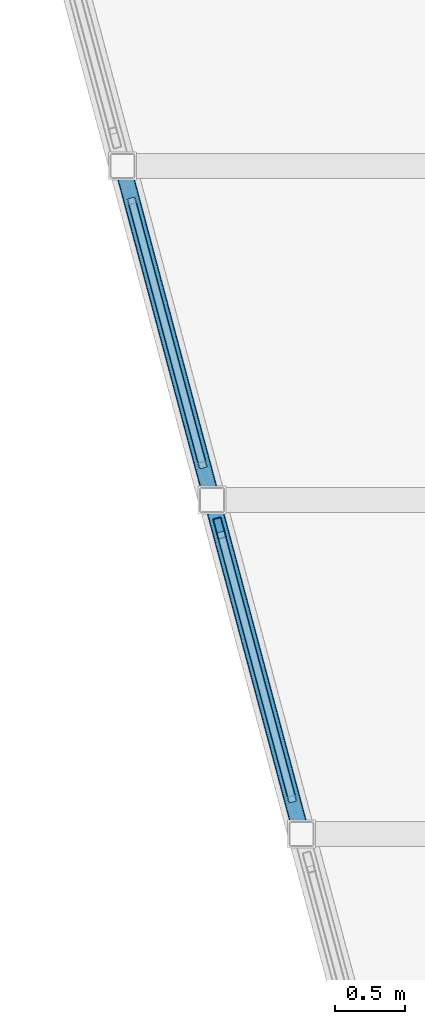
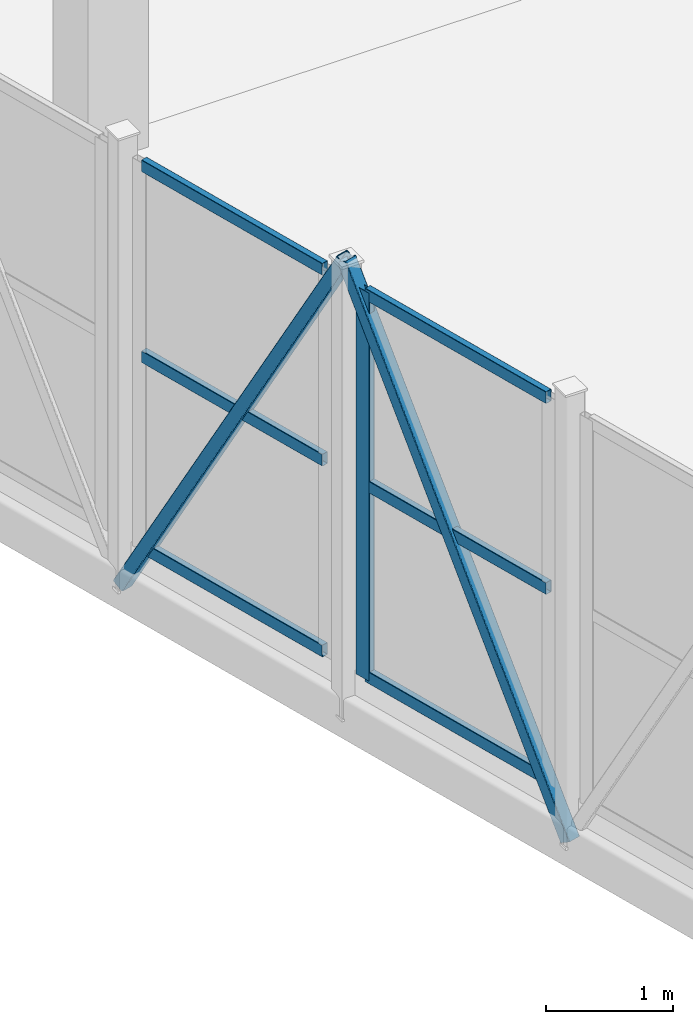
# One storey, part 40 of 127: 9 members, 2 elements without a shape of their own.
"""IFC4 building model written with IfcOpenShell, lengths in metres."""

from ifc_helpers import new_model, si_unit, direction, frame, origin, origin_2d, place, context, subcontext, project, spatial, hollow_rectangle, extrude, material, layer, layer_set, material_profile, profile_set, type_object, element, aggregate, save


model = new_model("IFC4")

# Units and contexts
model_context = context("Model", 3, precision=1e-05, world=origin(), true_north=direction((0.0, 1.0)))
body_context = subcontext(model_context, "Body", "Model", "MODEL_VIEW")
ifc_project = project(units=[si_unit("LENGTHUNIT", "METRE"), si_unit("AREAUNIT", "SQUARE_METRE"), si_unit("VOLUMEUNIT", "CUBIC_METRE"), si_unit("PLANEANGLEUNIT", "RADIAN"), si_unit("MASSUNIT", "GRAM", prefix="KILO")], contexts=[model_context])

# Site, building, storey
site_placement = place(None, origin())
site = spatial("IfcSite", under=ifc_project, at=site_placement, CompositionType="ELEMENT")
building_placement = place(site_placement, origin())
building = spatial("IfcBuilding", under=site, at=building_placement, Name="Dunvalen Ferry Terminal", CompositionType="ELEMENT")
storey_placement = place(building_placement, frame((0.0, 0.0, 5.760009765625)))
storey = spatial("IfcBuildingStorey", under=building, at=storey_placement, Name="L01", CompositionType="ELEMENT", Elevation=5.760009765625)

# Curtain wall, members
ifc_material_1 = material(Name="Anodised marine aluminium and solar-control glazing", Category="aluminium")
ifc_layer = layer(ifc_material_1, 0.159912109375, Name="Anodised marine aluminium and solar-control glazing")
ifc_layer_set = layer_set([ifc_layer], Name="Anodised marine aluminium and solar-control glazing")
curtain_wall_type = type_object("IfcCurtainWallType", Name="ENV-CW-SYS-07", PredefinedType="NOTDEFINED", material=ifc_layer_set)
curtain_wall_1_placement = place(storey_placement, origin())
curtain_wall_1 = element("IfcCurtainWall", 1, at=curtain_wall_1_placement, inside=storey, type_object=curtain_wall_type, Name="L01 Curtain Wall CW-BRG1-S1-3", PredefinedType="NOTDEFINED")
ifc_material_2 = material(Name="Anodised marine aluminium EN AW-6063 T6", Category="aluminium")
ifc_material_profile_1 = material_profile(ifc_material_2, hollow_rectangle(XDim=0.06005859375, YDim=0.14990234375, WallThickness=0.00341796875, InnerFilletRadius=0.00341796875, OuterFilletRadius=0.007080078125, at=origin_2d()), Name="Anodised marine aluminium EN AW-6063 T6")
ifc_profile_set_1 = profile_set([ifc_material_profile_1], Name="Anodised marine aluminium EN AW-6063 T6")
member_type_1 = type_object("IfcMemberType", Name="ENV-CW-MUL-3", PredefinedType="MULLION", material=ifc_profile_set_1)
member_1_placement = place(storey_placement, frame((28.124755859375, 93.398193359375, 0.0), z_axis=(0.0, 0.0, 1.0), x_axis=(-0.965934620531, -0.258786222315, 0.0)))
member_1 = element("IfcMember", 2, at=member_1_placement, type_object=member_type_1, Name="CW-07 mullion 2", PredefinedType="MULLION", context=body_context, shape_type="SweptSolid", body=[
    extrude(hollow_rectangle(XDim=0.06005859375, YDim=0.14990234375, WallThickness=0.00341796875, InnerFilletRadius=0.00341796875, OuterFilletRadius=0.007080078125, at=origin_2d()), origin(), (0.0, 0.0, 1.0), 3.719970703125),
])
ifc_material_profile_2 = material_profile(ifc_material_2, hollow_rectangle(XDim=0.06005859375, YDim=0.114990234375, WallThickness=0.0029296875, InnerFilletRadius=0.0029296875, OuterFilletRadius=0.006103515625, at=origin_2d()), Name="Anodised marine aluminium EN AW-6063 T6")
ifc_profile_set_2 = profile_set([ifc_material_profile_2], Name="Anodised marine aluminium EN AW-6063 T6")
member_type_2 = type_object("IfcMemberType", Name="ENV-CW-TRN-3", PredefinedType="USERDEFINED", material=ifc_profile_set_2)
member_2_placement = place(storey_placement, frame((28.65185546875, 91.4306640625, 0.030029296875), z_axis=(-0.258760408924, 0.965941535898, 0.0), x_axis=(-0.965941535898, -0.258760408924, 0.0)))
member_2 = element("IfcMember", 3, at=member_2_placement, type_object=member_type_2, Name="CW-07 transom 1.1", ObjectType="TRANSOM", PredefinedType="USERDEFINED", context=body_context, shape_type="SweptSolid", body=[
    extrude(hollow_rectangle(XDim=0.06005859375, YDim=0.114990234375, WallThickness=0.0029296875, InnerFilletRadius=0.0029296875, OuterFilletRadius=0.006103515625, at=origin_2d()), origin(), (0.0, 0.0, 1.0), 2.0068359375),
])
member_3_placement = place(storey_placement, frame((28.65185546875, 91.4306640625, 1.860107421875), z_axis=(-0.258760408924, 0.965941535898, 0.0), x_axis=(-0.965941535898, -0.258760408924, 0.0)))
member_3 = element("IfcMember", 4, at=member_3_placement, type_object=member_type_2, Name="CW-07 transom 1.2", ObjectType="TRANSOM", PredefinedType="USERDEFINED", context=body_context, shape_type="SweptSolid", body=[
    extrude(hollow_rectangle(XDim=0.06005859375, YDim=0.114990234375, WallThickness=0.0029296875, InnerFilletRadius=0.0029296875, OuterFilletRadius=0.006103515625, at=origin_2d()), origin(), (0.0, 0.0, 1.0), 2.0068359375),
])
member_4_placement = place(storey_placement, frame((28.65185546875, 91.4306640625, 3.68994140625), z_axis=(-0.258760408924, 0.965941535898, 0.0), x_axis=(-0.965941535898, -0.258760408924, 0.0)))
member_4 = element("IfcMember", 5, at=member_4_placement, type_object=member_type_2, Name="CW-07 transom 1.3", ObjectType="TRANSOM", PredefinedType="USERDEFINED", context=body_context, shape_type="SweptSolid", body=[
    extrude(hollow_rectangle(XDim=0.06005859375, YDim=0.114990234375, WallThickness=0.0029296875, InnerFilletRadius=0.0029296875, OuterFilletRadius=0.006103515625, at=origin_2d()), origin(), (0.0, 0.0, 1.0), 2.0068359375),
])
aggregate(curtain_wall_1, [member_1, member_2, member_3, member_4])

curtain_wall_2_placement = place(storey_placement, origin())
curtain_wall_2 = element("IfcCurtainWall", 6, at=curtain_wall_2_placement, inside=storey, type_object=curtain_wall_type, Name="L01 Curtain Wall CW-BRG1-S1-4", PredefinedType="NOTDEFINED")
member_5_placement = place(storey_placement, frame((28.0087890625, 93.830810546875, 0.030029296875), z_axis=(-0.258760408924, 0.965941535898, 0.0), x_axis=(-0.965941535898, -0.258760408924, 0.0)))
member_5 = element("IfcMember", 7, at=member_5_placement, type_object=member_type_2, Name="CW-07 transom 1.1", ObjectType="TRANSOM", PredefinedType="USERDEFINED", context=body_context, shape_type="SweptSolid", body=[
    extrude(hollow_rectangle(XDim=0.06005859375, YDim=0.114990234375, WallThickness=0.0029296875, InnerFilletRadius=0.0029296875, OuterFilletRadius=0.006103515625, at=origin_2d()), origin(), (0.0, 0.0, 1.0), 2.0068359375),
])
member_6_placement = place(storey_placement, frame((28.0087890625, 93.830810546875, 1.860107421875), z_axis=(-0.258760408924, 0.965941535898, 0.0), x_axis=(-0.965941535898, -0.258760408924, 0.0)))
member_6 = element("IfcMember", 8, at=member_6_placement, type_object=member_type_2, Name="CW-07 transom 1.2", ObjectType="TRANSOM", PredefinedType="USERDEFINED", context=body_context, shape_type="SweptSolid", body=[
    extrude(hollow_rectangle(XDim=0.06005859375, YDim=0.114990234375, WallThickness=0.0029296875, InnerFilletRadius=0.0029296875, OuterFilletRadius=0.006103515625, at=origin_2d()), origin(), (0.0, 0.0, 1.0), 2.0068359375),
])
member_7_placement = place(storey_placement, frame((28.0087890625, 93.830810546875, 3.68994140625), z_axis=(-0.258760408924, 0.965941535898, 0.0), x_axis=(-0.965941535898, -0.258760408924, 0.0)))
member_7 = element("IfcMember", 9, at=member_7_placement, type_object=member_type_2, Name="CW-07 transom 1.3", ObjectType="TRANSOM", PredefinedType="USERDEFINED", context=body_context, shape_type="SweptSolid", body=[
    extrude(hollow_rectangle(XDim=0.06005859375, YDim=0.114990234375, WallThickness=0.0029296875, InnerFilletRadius=0.0029296875, OuterFilletRadius=0.006103515625, at=origin_2d()), origin(), (0.0, 0.0, 1.0), 2.0068359375),
])
aggregate(curtain_wall_2, [member_5, member_6, member_7])

# Members
ifc_material_3 = material(Name="Steel S355", Category="steel")
ifc_material_profile_3 = material_profile(ifc_material_3, hollow_rectangle(XDim=0.1201171875, YDim=0.1201171875, WallThickness=0.00634765625, InnerFilletRadius=0.00634765625, OuterFilletRadius=0.0126953125, at=origin_2d()), Name="Steel S355")
ifc_profile_set_3 = profile_set([ifc_material_profile_3], Name="Steel S355")
member_type_3 = type_object("IfcMemberType", Name="STR-MB-SHS120", PredefinedType="BRACE", material=ifc_profile_set_3)
for number, where, z_axis, x_axis, name in (
    (10, (28.7138671875, 91.199951171875, -0.43994140625), (-0.128591470582, 0.47994789191, 0.867821556972), (-0.965930947833, -0.258799930484, 0.0), "Boarding Bridge 1 Warren Diagonal 1.3"),
    (11, (28.07080078125, 93.60009765625, 3.89990234375), (-0.128594483559, 0.479910316395, -0.867841890563), (-0.965924366126, -0.258824494443, 0.0), "Boarding Bridge 1 Warren Diagonal 1.4"),
):
    element("IfcMember", number, at=place(storey_placement, frame(where, z_axis=z_axis, x_axis=x_axis)), inside=storey, type_object=member_type_3, Name=name, PredefinedType="BRACE", context=body_context, shape_type="SweptSolid", body=[
        extrude(hollow_rectangle(XDim=0.1201171875, YDim=0.1201171875, WallThickness=0.00634765625, InnerFilletRadius=0.00634765625, OuterFilletRadius=0.0126953125, at=origin_2d()), origin(), (0.0, 0.0, 1.0), 5.000732421875),
    ])

save(model, "model.ifc")
